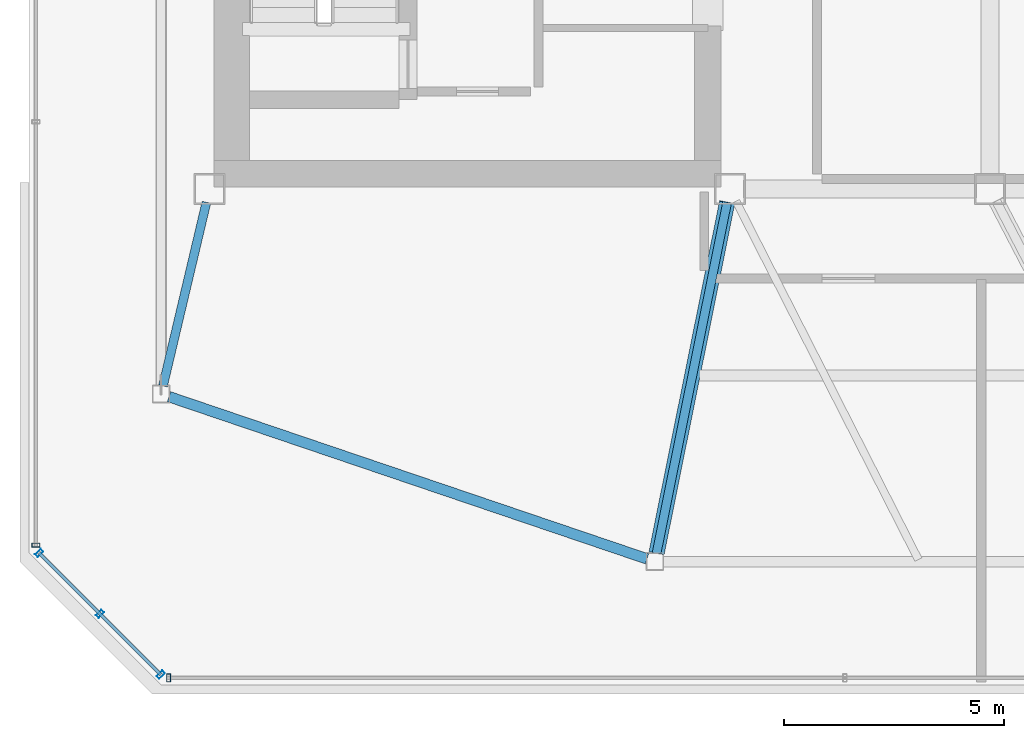
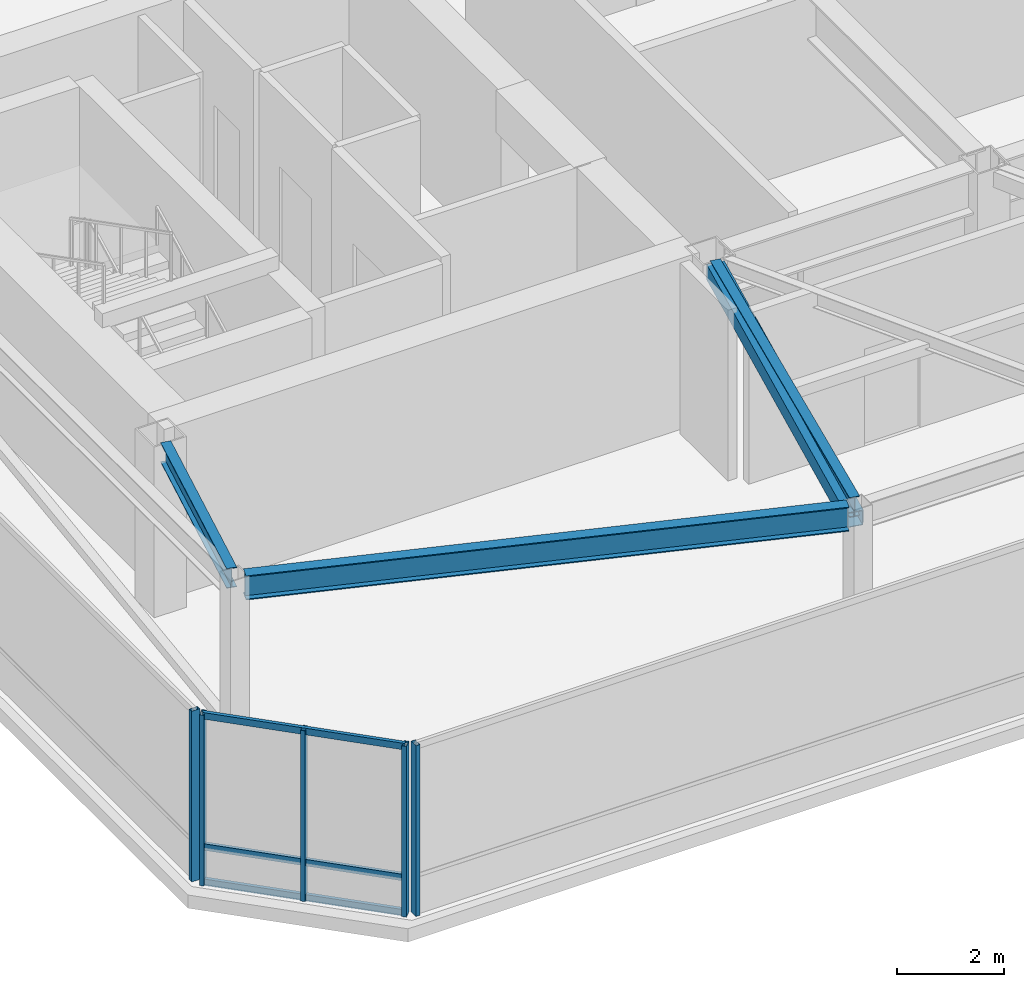
# One storey, part 2 of 22: 9 members, 3 beams, 3 elements without a shape of their own.
"""IFC4 building model written with IfcOpenShell, lengths in metres."""

from ifc_helpers import new_model, si_unit, direction, frame, origin, origin_2d, place, context, subcontext, project, spatial, hollow_rectangle, i_section, extrude, material, layer, layer_set, material_profile, profile_set, type_object, element, aggregate, save


model = new_model("IFC4")

# Units and contexts
model_context = context("Model", 3, precision=1e-05, world=origin(), true_north=direction((0.0, 1.0)))
body_context = subcontext(model_context, "Body", "Model", "MODEL_VIEW")
ifc_project = project(units=[si_unit("LENGTHUNIT", "METRE"), si_unit("AREAUNIT", "SQUARE_METRE"), si_unit("VOLUMEUNIT", "CUBIC_METRE"), si_unit("PLANEANGLEUNIT", "RADIAN"), si_unit("MASSUNIT", "GRAM", prefix="KILO")], contexts=[model_context])

# Site, building, storey
site_placement = place(None, origin())
site = spatial("IfcSite", under=ifc_project, at=site_placement, CompositionType="ELEMENT")
building_placement = place(site_placement, origin())
building = spatial("IfcBuilding", under=site, at=building_placement, Name="Tavrogorsk Clinical Tower", CompositionType="ELEMENT")
storey_placement = place(building_placement, frame((0.0, 0.0, 352.800048828125)))
storey = spatial("IfcBuildingStorey", under=building, at=storey_placement, Name="L82", CompositionType="ELEMENT", Elevation=352.800048828125)

# Member
ifc_material_1 = material(Name="Structural steel S390", Category="steel")
ifc_material_profile_1 = material_profile(ifc_material_1, hollow_rectangle(XDim=0.35009765625, YDim=0.35009765625, WallThickness=0.01611328125, at=origin_2d()), Name="SHS-350x350x16")
ifc_profile_set_1 = profile_set([ifc_material_profile_1], Name="Structural steel S390")
member_type_1 = type_object("IfcMemberType", Name="CrownFacetRafter_SHS350", PredefinedType="RAFTER", material=ifc_profile_set_1)
member_1_placement = place(storey_placement, frame((-10.361083984375, -6.65380859375, 3.649169921875), z_axis=(-0.197131403057, -0.979759922029, -0.034780815313), x_axis=(0.980353070529, -0.197250746779, 0.0)))
element("IfcMember", 1, at=member_1_placement, inside=storey, type_object=member_type_1, Name="L82 Sloped Facet Rafter S-1", PredefinedType="RAFTER", context=body_context, shape_type="SweptSolid", body=[
    extrude(hollow_rectangle(XDim=0.35009765625, YDim=0.35009765625, WallThickness=0.01611328125, at=origin_2d()), origin(), (0.0, 0.0, 1.0), 8.114501953125),
])

# Curtain wall, members
ifc_material_2 = material(Name="Anodised aluminium and triple IGU glazing", Category="aluminium")
ifc_layer = layer(ifc_material_2, 0.179931640625)
ifc_layer_set = layer_set([ifc_layer], Name="Anodised aluminium and triple IGU glazing")
curtain_wall_type = type_object("IfcCurtainWallType", Name="CW5_SkyLobby", PredefinedType="NOTDEFINED", material=ifc_layer_set)
curtain_wall_1_placement = place(storey_placement, origin())
curtain_wall_1 = element("IfcCurtainWall", 2, at=curtain_wall_1_placement, inside=storey, type_object=curtain_wall_type, Name="L82 Curtain Wall CW-L82-DRUM-1", PredefinedType="NOTDEFINED")
ifc_material_3 = material(Name="Anodised aluminium alloy AW-6060", Category="aluminium")
ifc_material_profile_2 = material_profile(ifc_material_3, hollow_rectangle(XDim=0.090087890625, YDim=0.179931640625, WallThickness=0.00634765625, at=origin_2d()), Name="RHS-180x90x6.3")
ifc_profile_set_2 = profile_set([ifc_material_profile_2], Name="Anodised aluminium alloy AW-6060")
member_type_2 = type_object("IfcMemberType", Name="CwMullion_180x90", PredefinedType="MULLION", material=ifc_profile_set_2)
member_2_placement = place(storey_placement, frame((-23.2080078125, -17.36572265625, 0.0), z_axis=(0.0, 0.0, 1.0), x_axis=(-0.707106781187, 0.707106781187, 0.0)))
member_2 = element("IfcMember", 3, at=member_2_placement, type_object=member_type_2, Name="CW-L82-DRUM-1 Mullion 1", PredefinedType="MULLION", context=body_context, shape_type="SweptSolid", body=[
    extrude(hollow_rectangle(XDim=0.090087890625, YDim=0.179931640625, WallThickness=0.00634765625, at=origin_2d()), origin(), (0.0, 0.0, 1.0), 3.8798828125),
])
member_3_placement = place(storey_placement, frame((-24.5869140625, -15.98681640625, 0.0), z_axis=(0.0, 0.0, 1.0), x_axis=(-0.707106781187, 0.707106781187, 0.0)))
member_3 = element("IfcMember", 4, at=member_3_placement, type_object=member_type_2, Name="CW-L82-DRUM-1 Mullion 2", PredefinedType="MULLION", context=body_context, shape_type="SweptSolid", body=[
    extrude(hollow_rectangle(XDim=0.090087890625, YDim=0.179931640625, WallThickness=0.00634765625, at=origin_2d()), origin(), (0.0, 0.0, 1.0), 3.8798828125),
])
member_4_placement = place(storey_placement, frame((-25.9658203125, -14.60791015625, 0.0), z_axis=(0.0, 0.0, 1.0), x_axis=(-0.707106781187, 0.707106781187, 0.0)))
member_4 = element("IfcMember", 5, at=member_4_placement, type_object=member_type_2, Name="CW-L82-DRUM-1 Mullion 3", PredefinedType="MULLION", context=body_context, shape_type="SweptSolid", body=[
    extrude(hollow_rectangle(XDim=0.090087890625, YDim=0.179931640625, WallThickness=0.00634765625, at=origin_2d()), origin(), (0.0, 0.0, 1.0), 3.8798828125),
])

# Curtain wall, member
curtain_wall_2_placement = place(storey_placement, origin())
curtain_wall_2 = element("IfcCurtainWall", 6, at=curtain_wall_2_placement, inside=storey, type_object=curtain_wall_type, Name="L82 Curtain Wall CW-L82-DRUM-2", PredefinedType="NOTDEFINED")
member_5_placement = place(storey_placement, frame((-26.0400390625, -14.4287109375, 0.0), z_axis=(0.0, 0.0, 1.0), x_axis=(0.0, 1.0, 0.0)))
member_5 = element("IfcMember", 7, at=member_5_placement, type_object=member_type_2, Name="CW-L82-DRUM-2 Mullion 1", PredefinedType="MULLION", context=body_context, shape_type="SweptSolid", body=[
    extrude(hollow_rectangle(XDim=0.090087890625, YDim=0.179931640625, WallThickness=0.00634765625, at=origin_2d()), origin(), (0.0, 0.0, 1.0), 3.8798828125),
])
aggregate(curtain_wall_2, [member_5])

curtain_wall_3_placement = place(storey_placement, origin())
curtain_wall_3 = element("IfcCurtainWall", 8, at=curtain_wall_3_placement, inside=storey, type_object=curtain_wall_type, Name="L82 Curtain Wall CW-L82-DRUM-8", PredefinedType="NOTDEFINED")
member_6_placement = place(storey_placement, frame((-23.02880859375, -17.43994140625, 0.0), z_axis=(0.0, 0.0, 1.0), x_axis=(-1.0, 0.0, 0.0)))
member_6 = element("IfcMember", 9, at=member_6_placement, type_object=member_type_2, Name="CW-L82-DRUM-8 Mullion 4", PredefinedType="MULLION", context=body_context, shape_type="SweptSolid", body=[
    extrude(hollow_rectangle(XDim=0.090087890625, YDim=0.179931640625, WallThickness=0.00634765625, at=origin_2d()), origin(), (0.0, 0.0, 1.0), 3.8798828125),
])
aggregate(curtain_wall_3, [member_6])

# Member
ifc_material_4 = material(Name="Anodised aluminium alloy AW-6060", Category="aluminium")
ifc_material_profile_3 = material_profile(ifc_material_4, hollow_rectangle(XDim=0.074951171875, YDim=0.14990234375, WallThickness=0.0048828125, at=origin_2d()), Name="RHS-150x75x5")
ifc_profile_set_3 = profile_set([ifc_material_profile_3], Name="Anodised aluminium alloy AW-6060")
member_type_3 = type_object("IfcMemberType", Name="CwTransom_150x75", PredefinedType="USERDEFINED", material=ifc_profile_set_3)
member_7_placement = place(storey_placement, frame((-23.2080078125, -17.36572265625, 0.050048828125), z_axis=(-0.707106781187, 0.707106781187, 0.0), x_axis=(-0.707106781187, -0.707106781187, 0.0)))
member_7 = element("IfcMember", 10, at=member_7_placement, type_object=member_type_3, Name="CW-L82-DRUM-1 Transom 1", ObjectType="TRANSOM", PredefinedType="USERDEFINED", context=body_context, shape_type="SweptSolid", body=[
    extrude(hollow_rectangle(XDim=0.074951171875, YDim=0.14990234375, WallThickness=0.0048828125, at=origin_2d()), origin(), (0.0, 0.0, 1.0), 3.900146484375),
])

member_8_placement = place(storey_placement, frame((-23.2080078125, -17.36572265625, 0.849853515625), z_axis=(-0.707106781187, 0.707106781187, 0.0), x_axis=(-0.707106781187, -0.707106781187, 0.0)))
member_8 = element("IfcMember", 11, at=member_8_placement, type_object=member_type_3, Name="CW-L82-DRUM-1 Transom 2", ObjectType="TRANSOM", PredefinedType="USERDEFINED", context=body_context, shape_type="SweptSolid", body=[
    extrude(hollow_rectangle(XDim=0.074951171875, YDim=0.14990234375, WallThickness=0.0048828125, at=origin_2d()), origin(), (0.0, 0.0, 1.0), 3.900146484375),
])

member_9_placement = place(storey_placement, frame((-23.2080078125, -17.36572265625, 3.829833984375), z_axis=(-0.707106781187, 0.707106781187, 0.0), x_axis=(-0.707106781187, -0.707106781187, 0.0)))
member_9 = element("IfcMember", 12, at=member_9_placement, type_object=member_type_3, Name="CW-L82-DRUM-1 Transom 3", ObjectType="TRANSOM", PredefinedType="USERDEFINED", context=body_context, shape_type="SweptSolid", body=[
    extrude(hollow_rectangle(XDim=0.074951171875, YDim=0.14990234375, WallThickness=0.0048828125, at=origin_2d()), origin(), (0.0, 0.0, 1.0), 3.900146484375),
])

aggregate(curtain_wall_1, [member_2, member_3, member_4, member_7, member_8, member_9])

# Beams
ifc_material_5 = material(Name="Structural steel S355", Category="steel")
ifc_material_profile_4 = material_profile(ifc_material_5, i_section(OverallWidth=0.199951171875, OverallDepth=0.449951171875, WebThickness=0.011474609375, FlangeThickness=0.01806640625, at=origin_2d()), Name="B-450x200x11.5x18")
ifc_profile_set_4 = profile_set([ifc_material_profile_4], Name="Structural steel S355")
beam_type_1 = type_object("IfcBeamType", Name="FloorBeam_B450", PredefinedType="BEAM", material=ifc_profile_set_4)
beam_1_placement = place(storey_placement, frame((-10.361083984375, -6.65380859375, 3.655029296875), z_axis=(-0.197249355273, -0.980353350504, 0.0), x_axis=(0.980353350504, -0.197249355273, 0.0)))
element("IfcBeam", 13, at=beam_1_placement, inside=storey, type_object=beam_type_1, Name="L82 Crown Radial Beam 01", PredefinedType="BEAM", context=body_context, shape_type="SweptSolid", body=[
    extrude(i_section(OverallWidth=0.199951171875, OverallDepth=0.449951171875, WebThickness=0.011474609375, FlangeThickness=0.01806640625, at=origin_2d()), origin(), (0.0, 0.0, 1.0), 8.119384765625),
])
beam_2_placement = place(storey_placement, frame((-22.17138671875, -6.651611328125, 3.655029296875), z_axis=(-0.230190528398, -0.973145580392, 0.0), x_axis=(0.973145580392, -0.230190528398, 0.0)))
element("IfcBeam", 14, at=beam_2_placement, inside=storey, type_object=beam_type_1, Name="L82 Crown Radial Beam 10", PredefinedType="BEAM", context=body_context, shape_type="SweptSolid", body=[
    extrude(i_section(OverallWidth=0.199951171875, OverallDepth=0.449951171875, WebThickness=0.011474609375, FlangeThickness=0.01806640625, at=origin_2d()), origin(), (0.0, 0.0, 1.0), 4.278564453125),
])
ifc_material_6 = material(Name="Structural steel S390", Category="steel")
ifc_material_profile_5 = material_profile(ifc_material_6, i_section(OverallWidth=0.239990234375, OverallDepth=0.550048828125, WebThickness=0.013916015625, FlangeThickness=0.02197265625, at=origin_2d()), Name="B-550x240x14x22")
ifc_profile_set_5 = profile_set([ifc_material_profile_5], Name="Structural steel S390")
beam_type_2 = type_object("IfcBeamType", Name="SpandrelBeam_B550", PredefinedType="SPANDREL", material=ifc_profile_set_5)
beam_3_placement = place(storey_placement, frame((-23.02001953125, -11.06103515625, 3.60498046875), z_axis=(0.946976266831, -0.321303517034, 0.0), x_axis=(0.321303517034, 0.946976266831, 0.0)))
element("IfcBeam", 15, at=beam_3_placement, inside=storey, type_object=beam_type_2, Name="L82 Crown Spandrel Beam 10", PredefinedType="SPANDREL", context=body_context, shape_type="SweptSolid", body=[
    extrude(i_section(OverallWidth=0.239990234375, OverallDepth=0.550048828125, WebThickness=0.013916015625, FlangeThickness=0.02197265625, at=origin_2d()), origin(), (0.0, 0.0, 1.0), 11.447021484375),
])

save(model, "model.ifc")
